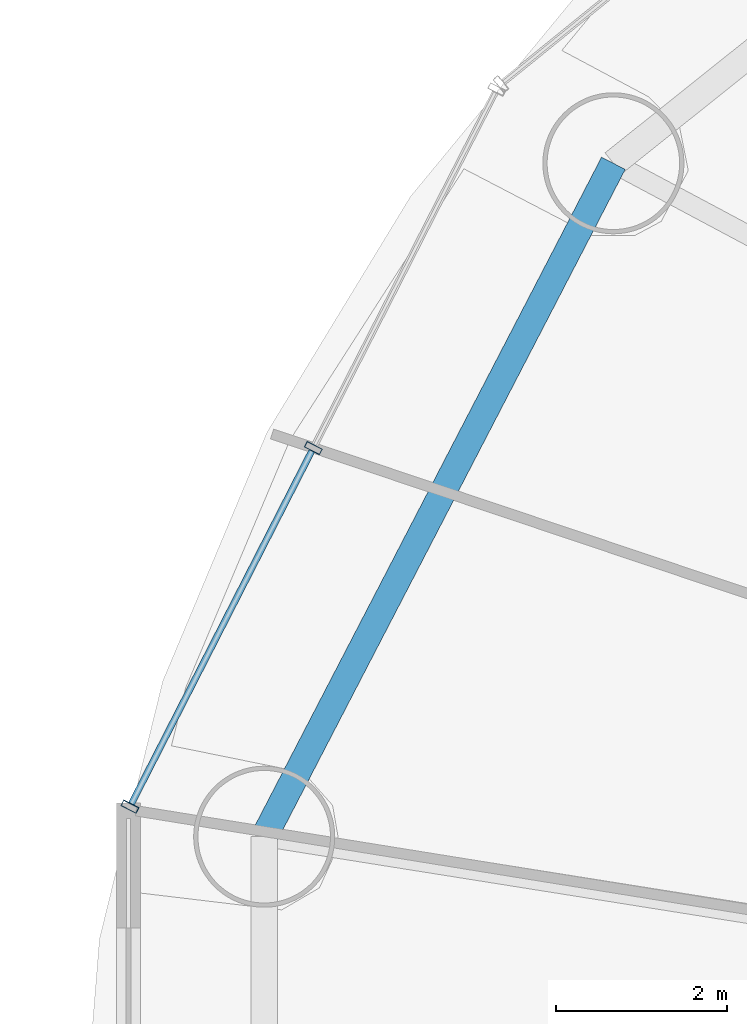
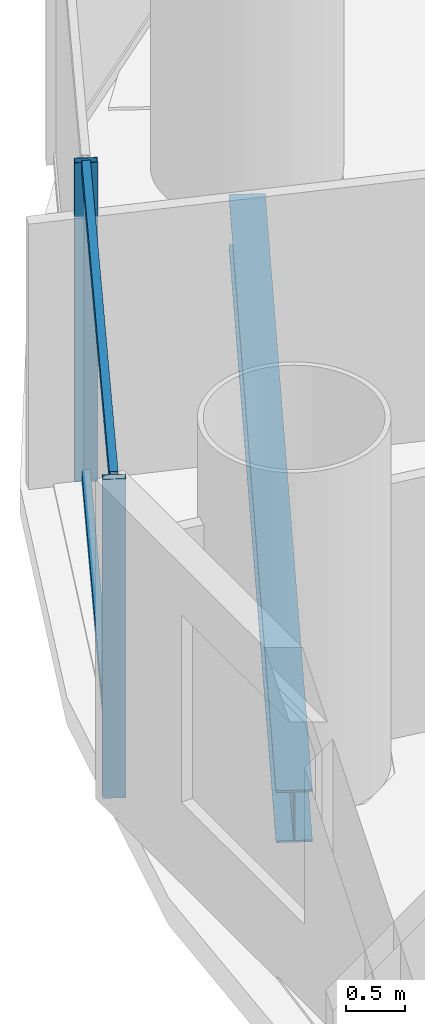
# One storey, part 6 of 28: 4 members, 1 beam, 1 element without a shape of its own.
"""IFC4 building model written with IfcOpenShell, lengths in metres."""

from ifc_helpers import new_model, si_unit, direction, frame, origin, origin_2d, place, context, subcontext, project, spatial, hollow_rectangle, i_section, extrude, source, transform, mapped, material, material_profile, profile_set, type_object, element, aggregate, save


model = new_model("IFC4")

# Units and contexts
model_context = context("Model", 3, precision=1e-05, world=origin(), true_north=direction((-0.2419218956, 0.970295726276)))
body_context = subcontext(model_context, "Body", "Model", "MODEL_VIEW")
ifc_project = project(units=[si_unit("LENGTHUNIT", "METRE"), si_unit("AREAUNIT", "SQUARE_METRE"), si_unit("VOLUMEUNIT", "CUBIC_METRE"), si_unit("PLANEANGLEUNIT", "RADIAN"), si_unit("MASSUNIT", "GRAM", prefix="KILO")], contexts=[model_context])

# Site, building, storey
site_placement = place(None, origin())
site = spatial("IfcSite", under=ifc_project, at=site_placement, CompositionType="ELEMENT")
building_placement = place(site_placement, origin())
building = spatial("IfcBuilding", under=site, at=building_placement, Name="Cobrevalo Terracotta Tower", CompositionType="ELEMENT")
storey_placement = place(building_placement, frame((0.0, 0.0, 34.800048828125)))
storey = spatial("IfcBuildingStorey", under=building, at=storey_placement, Name="L08", CompositionType="ELEMENT", Elevation=34.800048828125)

# Beam
ifc_material_1 = material(Name="Steel S355", Category="steel")
ifc_material_profile_1 = material_profile(ifc_material_1, i_section(OverallWidth=0.31201171875, OverallDepth=0.54296875, WebThickness=0.0126953125, FlangeThickness=0.020263671875, at=origin_2d()), Name="W 530x150")
ifc_profile_set_1 = profile_set([ifc_material_profile_1], Name="Steel S355")
beam_type = type_object("IfcBeamType", Name="Structural Spandrel W 530x150 (Steel S355)", PredefinedType="SPANDREL", material=ifc_profile_set_1)
beam_placement = place(storey_placement, frame((15.25927734375, 38.939208984375, -0.551513671875), z_axis=(-0.460285838799, -0.88777077368, 0.0), x_axis=(0.88777077368, -0.460285838799, 0.0)))
element("IfcBeam", 1, at=beam_placement, inside=storey, type_object=beam_type, Name="L08 perimeter ring spandrel 07", PredefinedType="SPANDREL", context=body_context, shape_type="SweptSolid", body=[
    extrude(i_section(OverallWidth=0.31201171875, OverallDepth=0.54296875, WebThickness=0.0126953125, FlangeThickness=0.020263671875, at=origin_2d()), origin(), (0.0, 0.0, 1.0), 8.8720703125),
])

# Curtain wall, members
ifc_material_2 = material(Name="Anodized aluminium", Category="aluminium")
curtain_wall_type = type_object("IfcCurtainWallType", Name="Lower-tower unitised acoustic low-E curtain wall CW-U1", PredefinedType="NOTDEFINED", material=ifc_material_2)
curtain_wall_placement = place(storey_placement, origin())
curtain_wall = element("IfcCurtainWall", 2, at=curtain_wall_placement, inside=storey, type_object=curtain_wall_type, Name="L08 curtain wall CW-L08-S07", PredefinedType="NOTDEFINED")
ifc_material_profile_2 = material_profile(ifc_material_2, hollow_rectangle(XDim=0.074951171875, YDim=0.199951171875, WallThickness=0.0048828125, at=origin_2d()), Name="CWM 75x200")
ifc_profile_set_2 = profile_set([ifc_material_profile_2], Name="Anodized aluminium")
member_type_1 = type_object("IfcMemberType", Name="Lower/mid tower unitised mullion 75x200", PredefinedType="MULLION", material=ifc_profile_set_2)
shared_shape_1 = source(origin(), body_context, "Body", "SweptSolid", [
    extrude(hollow_rectangle(XDim=0.074951171875, YDim=0.199951171875, WallThickness=0.0048828125, at=origin_2d()), origin(), (0.0, 0.0, 1.0), 3.320068359375),
])
member_1_placement = place(storey_placement, frame((11.74951171875, 35.60888671875, 0.0), z_axis=(0.0, 0.0, 1.0), x_axis=(-0.455234136597, -0.890371765543, 0.0)))
member_1 = element("IfcMember", 3, at=member_1_placement, type_object=member_type_1, Name="CW-L08-S07 vertical mullion 02", PredefinedType="MULLION", context=body_context, shape_type="MappedRepresentation", body=[
    mapped(shared_shape_1, transform((0.0, 0.0, 0.0), scale=1.0)),
])
member_2_placement = place(storey_placement, frame((9.60498046875, 31.414306640625, 0.0), z_axis=(0.0, 0.0, 1.0), x_axis=(-0.455234136597, -0.890371765543, 0.0)))
member_2 = element("IfcMember", 4, at=member_2_placement, type_object=member_type_1, Name="CW-L08-S07 vertical mullion 03", PredefinedType="MULLION", context=body_context, shape_type="MappedRepresentation", body=[
    mapped(shared_shape_1, transform((0.0, 0.0, 0.0), scale=1.0)),
])
ifc_material_profile_3 = material_profile(ifc_material_2, hollow_rectangle(XDim=0.074951171875, YDim=0.14990234375, WallThickness=0.00439453125, at=origin_2d()), Name="CWT 75x150")
ifc_profile_set_3 = profile_set([ifc_material_profile_3], Name="Anodized aluminium")
member_type_2 = type_object("IfcMemberType", Name="Tower unitised aluminium transom 75x150", PredefinedType="USERDEFINED", material=ifc_profile_set_3)
shared_shape_2 = source(origin(), body_context, "Body", "SweptSolid", [
    extrude(hollow_rectangle(XDim=0.074951171875, YDim=0.14990234375, WallThickness=0.00439453125, at=origin_2d()), origin(), (0.0, 0.0, 1.0), 4.631103515625),
])
member_3_placement = place(storey_placement, frame((11.731201171875, 35.573486328125, 0.050048828125), z_axis=(-0.455208584993, -0.890384829245, 0.0), x_axis=(0.890384829245, -0.455208584993, 0.0)))
member_3 = element("IfcMember", 5, at=member_3_placement, type_object=member_type_2, Name="CW-L08-S07 transom B02-T1", ObjectType="TRANSOM", PredefinedType="USERDEFINED", context=body_context, shape_type="MappedRepresentation", body=[
    mapped(shared_shape_2, transform((0.0, 0.0, 0.0), scale=1.0)),
])
member_4_placement = place(storey_placement, frame((11.731201171875, 35.573486328125, 3.27001953125), z_axis=(-0.455208584993, -0.890384829245, 0.0), x_axis=(0.890384829245, -0.455208584993, 0.0)))
member_4 = element("IfcMember", 6, at=member_4_placement, type_object=member_type_2, Name="CW-L08-S07 transom B02-T2", ObjectType="TRANSOM", PredefinedType="USERDEFINED", context=body_context, shape_type="MappedRepresentation", body=[
    mapped(shared_shape_2, transform((0.0, 0.0, 0.0), scale=1.0)),
])
aggregate(curtain_wall, [member_1, member_2, member_3, member_4])

save(model, "model.ifc")
